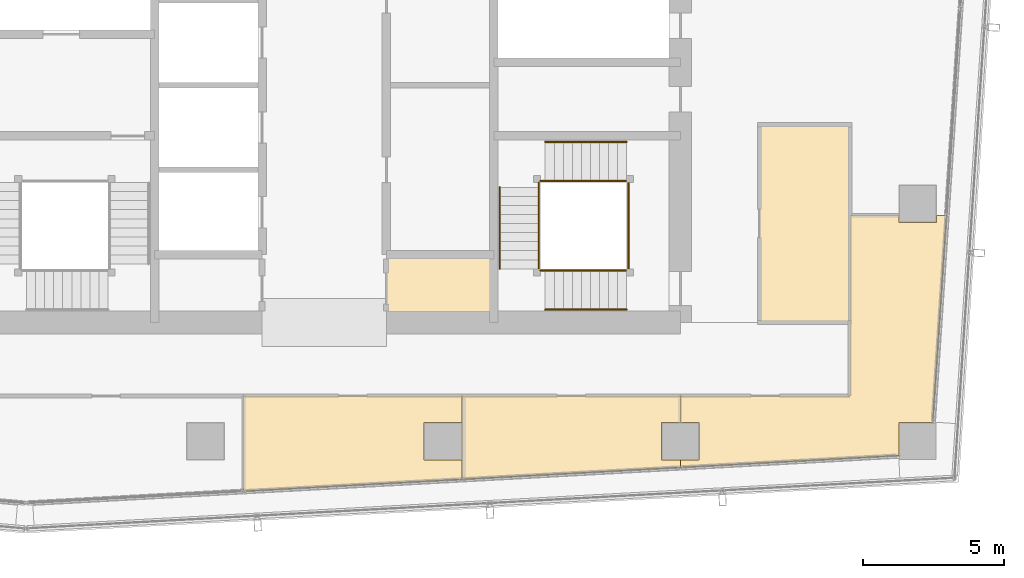
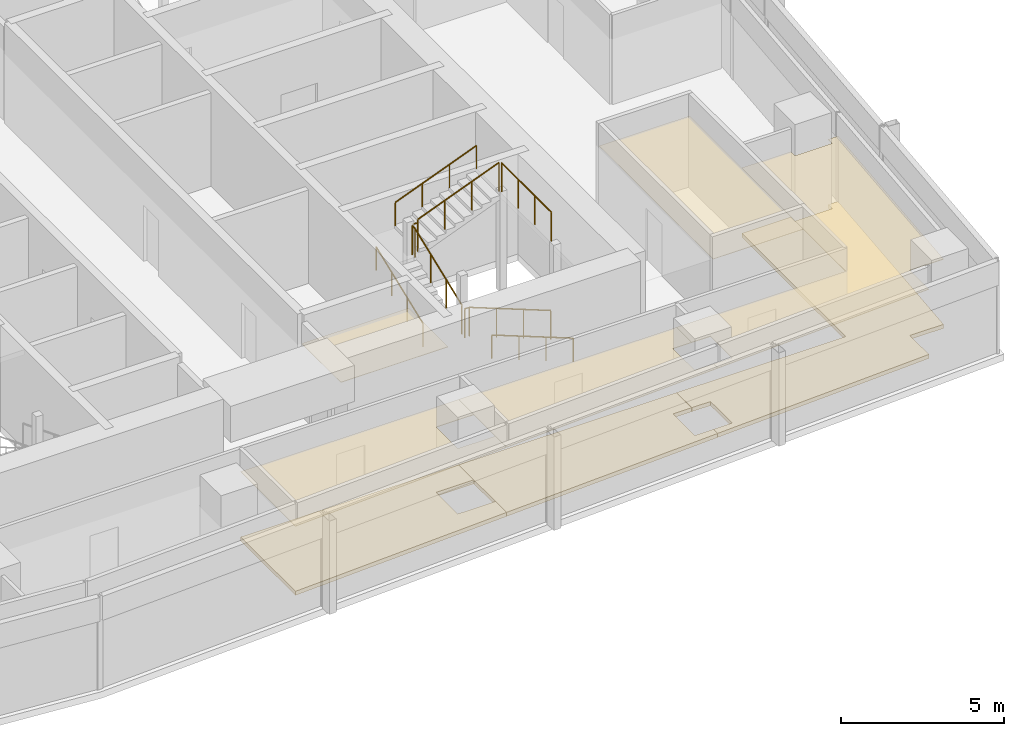
# One storey, part 28 of 30: 10 railings, 8 coverings.
"""IFC4 building model written with IfcOpenShell, lengths in metres."""

from ifc_helpers import new_model, si_unit, direction, frame, origin, origin_2d, place, context, subcontext, project, spatial, polyline, circle, outline, extrude, material, layer, layer_set, type_object, element, save


model = new_model("IFC4")

# Units and contexts
model_context = context("Model", 3, precision=1e-05, world=origin(), true_north=direction((0.0, 1.0)))
body_context = subcontext(model_context, "Body", "Model", "MODEL_VIEW")
ifc_project = project(units=[si_unit("LENGTHUNIT", "METRE"), si_unit("AREAUNIT", "SQUARE_METRE"), si_unit("VOLUMEUNIT", "CUBIC_METRE"), si_unit("PLANEANGLEUNIT", "RADIAN"), si_unit("MASSUNIT", "GRAM", prefix="KILO")], contexts=[model_context])

# Site, building, storey
site_placement = place(None, origin())
site = spatial("IfcSite", under=ifc_project, at=site_placement, CompositionType="ELEMENT")
building_placement = place(site_placement, origin())
building = spatial("IfcBuilding", under=site, at=building_placement, Name="Rekha Terrace Tower", CompositionType="ELEMENT")
storey_placement = place(building_placement, frame((0.0, 0.0, 272.60009765625)))
storey = spatial("IfcBuildingStorey", under=building, at=storey_placement, Name="L69", CompositionType="ELEMENT", Elevation=272.60009765625)

# Coverings
ifc_material_1 = material(Name="Mineral fibre tile in exposed grid", Category="finish")
ifc_layer_1 = layer(ifc_material_1, 0.02001953125)
ifc_layer_set_1 = layer_set([ifc_layer_1], Name="Mineral fibre tile in exposed grid")
covering_type_1 = type_object("IfcCoveringType", Name="CL1 600x1200 office grid ceiling", PredefinedType="CEILING", material=ifc_layer_set_1)
covering_1_placement = place(storey_placement, frame((0.0, 0.0, 2.579833984375)))
element("IfcCovering", 1, at=covering_1_placement, inside=storey, type_object=covering_type_1, Name="Ceiling L69-08", PredefinedType="CEILING", context=body_context, shape_type="SweptSolid", body=[
    extrude(outline(polyline([(34.947998046875, 18.39990234375), (34.947998046875, 15.033935546875), (42.673095703125, 15.4541015625), (42.673095703125, 16.135009765625), (41.3349609375, 16.135009765625), (41.3349609375, 17.465087890625), (42.673095703125, 17.465087890625), (42.673095703125, 18.39990234375), (34.947998046875, 18.39990234375)])), origin(), (0.0, 0.0, 1.0), 0.02001953125),
])
covering_2_placement = place(storey_placement, frame((0.0, 0.0, 2.579833984375)))
element("IfcCovering", 2, at=covering_2_placement, inside=storey, type_object=covering_type_1, Name="Ceiling L69-09", PredefinedType="CEILING", context=body_context, shape_type="SweptSolid", body=[
    extrude(outline(polyline([(42.674072265625, 18.39990234375), (42.674072265625, 15.4541015625), (50.39990234375, 15.875), (50.39990234375, 16.135009765625), (49.735107421875, 16.135009765625), (49.735107421875, 17.465087890625), (50.39990234375, 17.465087890625), (50.39990234375, 18.39990234375), (42.674072265625, 18.39990234375)])), origin(), (0.0, 0.0, 1.0), 0.02001953125),
])
covering_3_placement = place(storey_placement, frame((0.0, 0.0, 2.579833984375)))
element("IfcCovering", 3, at=covering_3_placement, inside=storey, type_object=covering_type_1, Name="Ceiling L69-10", PredefinedType="CEILING", context=body_context, shape_type="SweptSolid", body=[
    extrude(outline(polyline([(58.135009765625, 24.534912109375), (58.135009765625, 24.785888671875), (56.39990234375, 24.785888671875), (56.39990234375, 18.39990234375), (50.40087890625, 18.39990234375), (50.40087890625, 17.465087890625), (51.06494140625, 17.465087890625), (51.06494140625, 16.135009765625), (50.40087890625, 16.135009765625), (50.40087890625, 15.875), (58.135009765625, 16.2958984375), (58.135009765625, 17.465087890625), (59.327880859375, 17.465087890625), (59.81396484375, 24.785888671875), (59.465087890625, 24.785888671875), (59.465087890625, 24.534912109375), (58.135009765625, 24.534912109375)])), origin(), (0.0, 0.0, 1.0), 0.02001953125),
])
ifc_material_2 = material(Name="Fibre cement board", Category="finish")
ifc_layer_2 = layer(ifc_material_2, 0.014892578125)
ifc_layer_set_2 = layer_set([ifc_layer_2], Name="Fibre cement board")
covering_type_2 = type_object("IfcCoveringType", Name="CL2 moisture-resistant board ceiling", PredefinedType="CEILING", material=ifc_layer_set_2)
covering_4_placement = place(storey_placement, frame((0.0, 0.0, 2.5849609375)))
element("IfcCovering", 4, at=covering_4_placement, inside=storey, type_object=covering_type_2, Name="Ceiling L69-WCA", PredefinedType="CEILING", context=body_context, shape_type="SweptSolid", body=[
    extrude(outline(polyline([(43.800048828125, 23.39990234375), (40.0, 23.39990234375), (40.0, 21.0), (43.800048828125, 21.0), (43.800048828125, 23.39990234375)])), origin(), (0.0, 0.0, 1.0), 0.014892578125),
])
covering_5_placement = place(storey_placement, frame((0.0, 0.0, 2.5849609375)))
element("IfcCovering", 5, at=covering_5_placement, inside=storey, type_object=covering_type_2, Name="Ceiling L69-WCM2", PredefinedType="CEILING", context=body_context, shape_type="SweptSolid", body=[
    extrude(outline(polyline([(56.39990234375, 28.0), (53.199951171875, 28.0), (53.199951171875, 21.0), (56.39990234375, 21.0), (56.39990234375, 28.0)])), origin(), (0.0, 0.0, 1.0), 0.014892578125),
])

# Railings
ifc_material_3 = material(Name="Stainless steel balustrade", Category="steel")
railing_type_1 = type_object("IfcRailingType", Name="GR1 1100 stair guard", PredefinedType="GUARDRAIL", material=ifc_material_3)
railing_1_placement = place(storey_placement, frame((48.5, 22.840087890625, 0.125)))
element("IfcRailing", 6, at=railing_1_placement, inside=storey, type_object=railing_type_1, Name="Guard ST3 L69 flight 1", PredefinedType="GUARDRAIL", context=body_context, shape_type="SweptSolid", body=[
    extrude(circle(Radius=0.02392578125, at=origin_2d()), frame((0.0, 0.0, 1.076171875), z_axis=(-0.931452331594, 0.0, 0.363863372667), x_axis=(0.0, -1.0, 0.0)), (0.0, 0.0, 1.0), 3.091796875),
    extrude(circle(Radius=0.02099609375, at=origin_2d()), origin(), (0.0, 0.0, 1.0), 1.052001953125),
    extrude(circle(Radius=0.02099609375, at=origin_2d()), frame((-0.9599609375, 0.0, 0.375)), (0.0, 0.0, 1.0), 1.052001953125),
    extrude(circle(Radius=0.02099609375, at=origin_2d()), frame((-1.919921875, 0.0, 0.75)), (0.0, 0.0, 1.0), 1.052001953125),
    extrude(circle(Radius=0.02099609375, at=origin_2d()), frame((-2.8798828125, 0.0, 1.125)), (0.0, 0.0, 1.0), 1.052001953125),
])
railing_2_placement = place(storey_placement, frame((45.389892578125, 22.89990234375, 1.375)))
element("IfcRailing", 7, at=railing_2_placement, inside=storey, type_object=railing_type_1, Name="Guard ST3 L69 flight 2", PredefinedType="GUARDRAIL", context=body_context, shape_type="SweptSolid", body=[
    extrude(circle(Radius=0.02392578125, at=origin_2d()), frame((0.0, 0.0, 1.076171875), z_axis=(0.0, 0.931462784923, 0.363836612098), x_axis=(-1.0, 0.0, 0.0)), (0.0, 0.0, 1.0), 3.092041015625),
    extrude(circle(Radius=0.02099609375, at=origin_2d()), origin(), (0.0, 0.0, 1.0), 1.052001953125),
    extrude(circle(Radius=0.02099609375, at=origin_2d()), frame((0.0, 0.9599609375, 0.375)), (0.0, 0.0, 1.0), 1.052001953125),
    extrude(circle(Radius=0.02099609375, at=origin_2d()), frame((0.0, 1.920166015625, 0.75)), (0.0, 0.0, 1.0), 1.052001953125),
    extrude(circle(Radius=0.02099609375, at=origin_2d()), frame((0.0, 2.880126953125, 1.125)), (0.0, 0.0, 1.0), 1.052001953125),
])
railing_3_placement = place(storey_placement, frame((45.6201171875, 26.010009765625, 2.625)))
element("IfcRailing", 8, at=railing_3_placement, inside=storey, type_object=railing_type_1, Name="Guard ST3 L69 flight 3", PredefinedType="GUARDRAIL", context=body_context, shape_type="SweptSolid", body=[
    extrude(circle(Radius=0.02392578125, at=origin_2d()), frame((0.0, 0.0, 1.076171875), z_axis=(0.931452331594, 0.0, 0.363863372667), x_axis=(0.0, 1.0, 0.0)), (0.0, 0.0, 1.0), 3.091796875),
    extrude(circle(Radius=0.02099609375, at=origin_2d()), origin(), (0.0, 0.0, 1.0), 1.052001953125),
    extrude(circle(Radius=0.02099609375, at=origin_2d()), frame((0.9599609375, 0.0, 0.375)), (0.0, 0.0, 1.0), 1.052001953125),
    extrude(circle(Radius=0.02099609375, at=origin_2d()), frame((1.919921875, 0.0, 0.75)), (0.0, 0.0, 1.0), 1.052001953125),
    extrude(circle(Radius=0.02099609375, at=origin_2d()), frame((2.8798828125, 0.0, 1.125)), (0.0, 0.0, 1.0), 1.052001953125),
])
railing_4_placement = place(storey_placement, frame((45.6201171875, 22.840087890625, 1.25)))
element("IfcRailing", 9, at=railing_4_placement, inside=storey, type_object=railing_type_1, Name="Guard ST3 L69 landing 1", PredefinedType="GUARDRAIL", context=body_context, shape_type="SweptSolid", body=[
    extrude(circle(Radius=0.02392578125, at=origin_2d()), frame((0.0, 0.0, 1.076171875), z_axis=(-1.0, 0.0, 0.0), x_axis=(0.0, -1.0, 0.0)), (0.0, 0.0, 1.0), 0.170166015625),
    extrude(circle(Radius=0.02099609375, at=origin_2d()), origin(), (0.0, 0.0, 1.0), 1.052001953125),
    extrude(circle(Radius=0.02099609375, at=origin_2d()), frame((-0.170166015625, 0.0, 0.0)), (0.0, 0.0, 1.0), 1.052001953125),
])
railing_5_placement = place(storey_placement, frame((45.389892578125, 25.780029296875, 2.5)))
element("IfcRailing", 10, at=railing_5_placement, inside=storey, type_object=railing_type_1, Name="Guard ST3 L69 landing 2", PredefinedType="GUARDRAIL", context=body_context, shape_type="SweptSolid", body=[
    extrude(circle(Radius=0.02392578125, at=origin_2d()), frame((0.0, 0.0, 1.076171875), z_axis=(0.0, 1.0, 0.0), x_axis=(-1.0, 0.0, 0.0)), (0.0, 0.0, 1.0), 0.169921875),
    extrude(circle(Radius=0.02099609375, at=origin_2d()), origin(), (0.0, 0.0, 1.0), 1.052001953125),
    extrude(circle(Radius=0.02099609375, at=origin_2d()), frame((0.0, 0.169921875, 0.0)), (0.0, 0.0, 1.0), 1.052001953125),
])
railing_6_placement = place(storey_placement, frame((45.6201171875, 26.010009765625, 2.5)))
element("IfcRailing", 11, at=railing_6_placement, inside=storey, type_object=railing_type_1, Name="Guard ST3 L69 landing 3", PredefinedType="GUARDRAIL", context=body_context, shape_type="SweptSolid", body=[
    extrude(circle(Radius=0.02392578125, at=origin_2d()), frame((0.0, 0.0, 1.076171875), z_axis=(-1.0, 0.0, 0.0), x_axis=(0.0, -1.0, 0.0)), (0.0, 0.0, 1.0), 0.170166015625),
    extrude(circle(Radius=0.02099609375, at=origin_2d()), origin(), (0.0, 0.0, 1.0), 1.052001953125),
    extrude(circle(Radius=0.02099609375, at=origin_2d()), frame((-0.170166015625, 0.0, 0.0)), (0.0, 0.0, 1.0), 1.052001953125),
])
railing_7_placement = place(storey_placement, frame((48.56005859375, 22.89990234375, 3.75)))
element("IfcRailing", 12, at=railing_7_placement, inside=storey, type_object=railing_type_1, Name="Guard ST3 L69 landing 4", PredefinedType="GUARDRAIL", context=body_context, shape_type="SweptSolid", body=[
    extrude(circle(Radius=0.02392578125, at=origin_2d()), frame((0.0, 0.0, 1.076171875), z_axis=(0.0, 1.0, 0.0), x_axis=(-1.0, 0.0, 0.0)), (0.0, 0.0, 1.0), 3.050048828125),
    extrude(circle(Radius=0.02099609375, at=origin_2d()), origin(), (0.0, 0.0, 1.0), 1.052001953125),
    extrude(circle(Radius=0.02099609375, at=origin_2d()), frame((0.0, 1.0166015625, 0.0)), (0.0, 0.0, 1.0), 1.052001953125),
    extrude(circle(Radius=0.02099609375, at=origin_2d()), frame((0.0, 2.033447265625, 0.0)), (0.0, 0.0, 1.0), 1.052001953125),
    extrude(circle(Radius=0.02099609375, at=origin_2d()), frame((0.0, 3.050048828125, 0.0)), (0.0, 0.0, 1.0), 1.052001953125),
])
ifc_material_4 = material(Name="Stainless steel tube", Category="steel")
railing_type_2 = type_object("IfcRailingType", Name="HR1 900 stair handrail", PredefinedType="HANDRAIL", material=ifc_material_4)
railing_8_placement = place(storey_placement, frame((48.5, 21.4599609375, 0.125)))
element("IfcRailing", 13, at=railing_8_placement, inside=storey, type_object=railing_type_2, Name="Handrail ST3 L69 flight 1", PredefinedType="HANDRAIL", context=body_context, shape_type="SweptSolid", body=[
    extrude(circle(Radius=0.02392578125, at=origin_2d()), frame((0.0, 0.0, 0.8759765625), z_axis=(-0.931452331594, 0.0, 0.363863372667), x_axis=(0.0, -1.0, 0.0)), (0.0, 0.0, 1.0), 3.091796875),
    extrude(circle(Radius=0.02099609375, at=origin_2d()), origin(), (0.0, 0.0, 1.0), 0.851806640625),
    extrude(circle(Radius=0.02099609375, at=origin_2d()), frame((-0.9599609375, 0.0, 0.375)), (0.0, 0.0, 1.0), 0.851806640625),
    extrude(circle(Radius=0.02099609375, at=origin_2d()), frame((-1.919921875, 0.0, 0.75)), (0.0, 0.0, 1.0), 0.851806640625),
    extrude(circle(Radius=0.02099609375, at=origin_2d()), frame((-2.8798828125, 0.0, 1.125)), (0.0, 0.0, 1.0), 0.851806640625),
])
railing_9_placement = place(storey_placement, frame((44.010009765625, 22.89990234375, 1.375)))
element("IfcRailing", 14, at=railing_9_placement, inside=storey, type_object=railing_type_2, Name="Handrail ST3 L69 flight 2", PredefinedType="HANDRAIL", context=body_context, shape_type="SweptSolid", body=[
    extrude(circle(Radius=0.02392578125, at=origin_2d()), frame((0.0, 0.0, 0.8759765625), z_axis=(0.0, 0.931462784923, 0.363836612098), x_axis=(-1.0, 0.0, 0.0)), (0.0, 0.0, 1.0), 3.092041015625),
    extrude(circle(Radius=0.02099609375, at=origin_2d()), origin(), (0.0, 0.0, 1.0), 0.851806640625),
    extrude(circle(Radius=0.02099609375, at=origin_2d()), frame((0.0, 0.9599609375, 0.375)), (0.0, 0.0, 1.0), 0.851806640625),
    extrude(circle(Radius=0.02099609375, at=origin_2d()), frame((0.0, 1.920166015625, 0.75)), (0.0, 0.0, 1.0), 0.851806640625),
    extrude(circle(Radius=0.02099609375, at=origin_2d()), frame((0.0, 2.880126953125, 1.125)), (0.0, 0.0, 1.0), 0.851806640625),
])
railing_10_placement = place(storey_placement, frame((45.6201171875, 27.389892578125, 2.625)))
element("IfcRailing", 15, at=railing_10_placement, inside=storey, type_object=railing_type_2, Name="Handrail ST3 L69 flight 3", PredefinedType="HANDRAIL", context=body_context, shape_type="SweptSolid", body=[
    extrude(circle(Radius=0.02392578125, at=origin_2d()), frame((0.0, 0.0, 0.8759765625), z_axis=(0.931452331594, 0.0, 0.363863372667), x_axis=(0.0, 1.0, 0.0)), (0.0, 0.0, 1.0), 3.091796875),
    extrude(circle(Radius=0.02099609375, at=origin_2d()), origin(), (0.0, 0.0, 1.0), 0.851806640625),
    extrude(circle(Radius=0.02099609375, at=origin_2d()), frame((0.9599609375, 0.0, 0.375)), (0.0, 0.0, 1.0), 0.851806640625),
    extrude(circle(Radius=0.02099609375, at=origin_2d()), frame((1.919921875, 0.0, 0.75)), (0.0, 0.0, 1.0), 0.851806640625),
    extrude(circle(Radius=0.02099609375, at=origin_2d()), frame((2.8798828125, 0.0, 1.125)), (0.0, 0.0, 1.0), 0.851806640625),
])

# Coverings
ifc_material_5 = material(Name="Calcium sulphate panels on steel pedestals", Category="steel")
ifc_layer_3 = layer(ifc_material_5, 0.14990234375)
ifc_layer_set_3 = layer_set([ifc_layer_3], Name="Calcium sulphate panels on steel pedestals")
covering_type_3 = type_object("IfcCoveringType", Name="RF1 150 raised access floor", PredefinedType="FLOORING", material=ifc_layer_set_3)
covering_6_placement = place(storey_placement, origin())
element("IfcCovering", 16, at=covering_6_placement, inside=storey, type_object=covering_type_3, Name="Raised floor L69-08", PredefinedType="FLOORING", context=body_context, shape_type="SweptSolid", body=[
    extrude(outline(polyline([(34.947998046875, 18.39990234375), (34.947998046875, 15.033935546875), (42.673095703125, 15.4541015625), (42.673095703125, 16.135009765625), (41.3349609375, 16.135009765625), (41.3349609375, 17.465087890625), (42.673095703125, 17.465087890625), (42.673095703125, 18.39990234375), (34.947998046875, 18.39990234375)])), origin(), (0.0, 0.0, 1.0), 0.14990234375),
])
covering_7_placement = place(storey_placement, origin())
element("IfcCovering", 17, at=covering_7_placement, inside=storey, type_object=covering_type_3, Name="Raised floor L69-09", PredefinedType="FLOORING", context=body_context, shape_type="SweptSolid", body=[
    extrude(outline(polyline([(42.674072265625, 18.39990234375), (42.674072265625, 15.4541015625), (50.39990234375, 15.875), (50.39990234375, 16.135009765625), (49.735107421875, 16.135009765625), (49.735107421875, 17.465087890625), (50.39990234375, 17.465087890625), (50.39990234375, 18.39990234375), (42.674072265625, 18.39990234375)])), origin(), (0.0, 0.0, 1.0), 0.14990234375),
])
covering_8_placement = place(storey_placement, origin())
element("IfcCovering", 18, at=covering_8_placement, inside=storey, type_object=covering_type_3, Name="Raised floor L69-10", PredefinedType="FLOORING", context=body_context, shape_type="SweptSolid", body=[
    extrude(outline(polyline([(58.135009765625, 24.534912109375), (58.135009765625, 24.785888671875), (56.39990234375, 24.785888671875), (56.39990234375, 18.39990234375), (50.40087890625, 18.39990234375), (50.40087890625, 17.465087890625), (51.06494140625, 17.465087890625), (51.06494140625, 16.135009765625), (50.40087890625, 16.135009765625), (50.40087890625, 15.875), (58.135009765625, 16.2958984375), (58.135009765625, 17.465087890625), (59.327880859375, 17.465087890625), (59.81396484375, 24.785888671875), (59.465087890625, 24.785888671875), (59.465087890625, 24.534912109375), (58.135009765625, 24.534912109375)])), origin(), (0.0, 0.0, 1.0), 0.14990234375),
])

save(model, "model.ifc")
